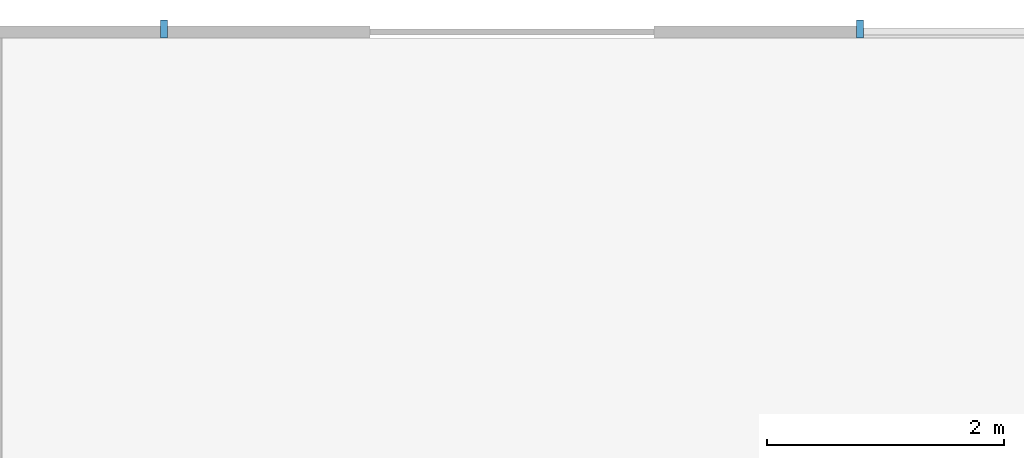
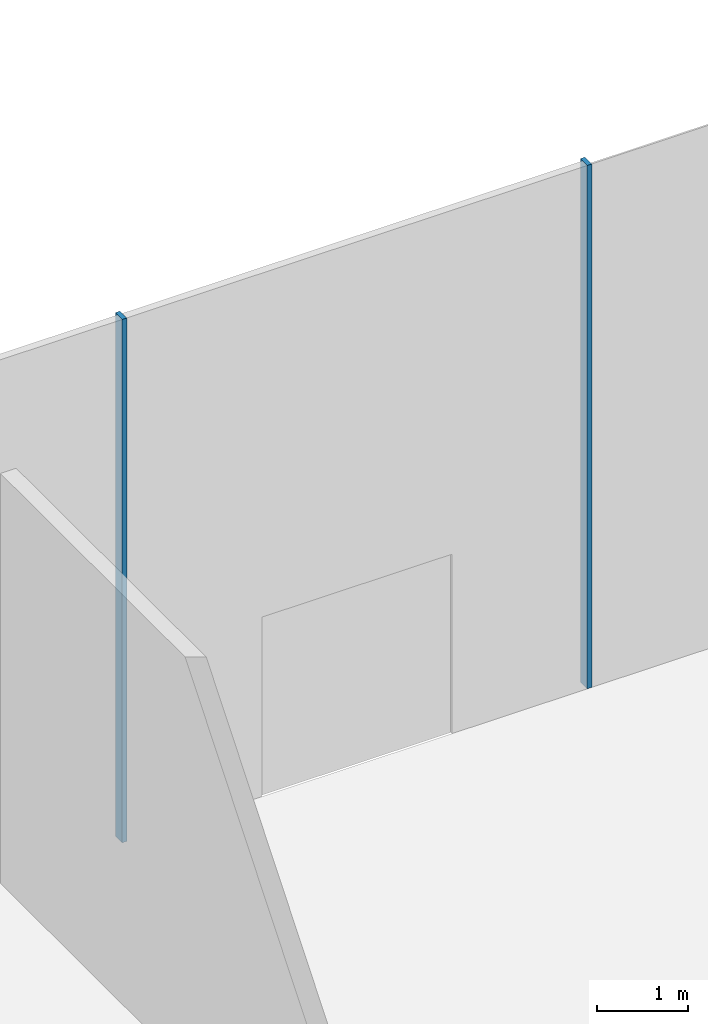
# One storey, part 18 of 41: 2 members, 1 element without a shape of its own.
"""IFC4 building model written with IfcOpenShell, lengths in metres."""

from ifc_helpers import new_model, si_unit, direction, frame, origin, origin_2d, place, context, subcontext, project, spatial, rectangle, extrude, material, material_profile, profile_set, type_object, element, aggregate, save


model = new_model("IFC4")

# Units and contexts
model_context = context("Model", 3, precision=1e-05, world=origin(), true_north=direction((0.0, 1.0)))
body_context = subcontext(model_context, "Body", "Model", "MODEL_VIEW")
ifc_project = project(units=[si_unit("LENGTHUNIT", "METRE"), si_unit("AREAUNIT", "SQUARE_METRE"), si_unit("VOLUMEUNIT", "CUBIC_METRE"), si_unit("PLANEANGLEUNIT", "RADIAN"), si_unit("MASSUNIT", "GRAM", prefix="KILO")], contexts=[model_context])

# Site, building, storey
site_placement = place(None, origin())
site = spatial("IfcSite", under=ifc_project, at=site_placement, CompositionType="ELEMENT")
building_placement = place(site_placement, origin())
building = spatial("IfcBuilding", under=site, at=building_placement, Name="Rimbun Link Towers", CompositionType="ELEMENT")
storey_placement = place(building_placement, origin())
storey = spatial("IfcBuildingStorey", under=building, at=storey_placement, Name="L00", CompositionType="ELEMENT", Elevation=0.0)

# Curtain wall, members
ifc_material_1 = material(Name="Aluminium 6063-T6 and low-iron glass", Category="aluminium")
curtain_wall_type = type_object("IfcCurtainWallType", Name="CW3 podium shopfront", PredefinedType="NOTDEFINED", material=ifc_material_1)
curtain_wall_placement = place(storey_placement, origin())
curtain_wall = element("IfcCurtainWall", 1, at=curtain_wall_placement, inside=storey, type_object=curtain_wall_type, Name="CW3 L00 PD", PredefinedType="NOTDEFINED")
ifc_material_2 = material(Name="Aluminium 6063-T6", Category="aluminium")
ifc_material_profile = material_profile(ifc_material_2, rectangle(XDim=0.14990234375, YDim=0.06005859375, at=origin_2d()), Name="MULLION 60X150")
ifc_profile_set = profile_set([ifc_material_profile], Name="Aluminium 6063-T6")
member_type = type_object("IfcMemberType", Name="CW3 mullion 60X150", PredefinedType="MULLION", material=ifc_profile_set)
member_1_placement = place(storey_placement, frame((32.35302734375, 36.074951171875, 0.0), z_axis=(0.0, 0.0, 1.0), x_axis=(0.0, 1.0, 0.0)))
member_1 = element("IfcMember", 2, at=member_1_placement, type_object=member_type, Name="CW3 mullion", PredefinedType="MULLION", context=body_context, shape_type="SweptSolid", body=[
    extrude(rectangle(XDim=0.14990234375, YDim=0.06005859375, at=origin_2d()), origin(), (0.0, 0.0, 1.0), 7.0),
])
member_2_placement = place(storey_placement, frame((26.470703125, 36.074951171875, 0.0), z_axis=(0.0, 0.0, 1.0), x_axis=(0.0, 1.0, 0.0)))
member_2 = element("IfcMember", 3, at=member_2_placement, type_object=member_type, Name="CW3 mullion", PredefinedType="MULLION", context=body_context, shape_type="SweptSolid", body=[
    extrude(rectangle(XDim=0.14990234375, YDim=0.06005859375, at=origin_2d()), origin(), (0.0, 0.0, 1.0), 7.0),
])
aggregate(curtain_wall, [member_1, member_2])

save(model, "model.ifc")
